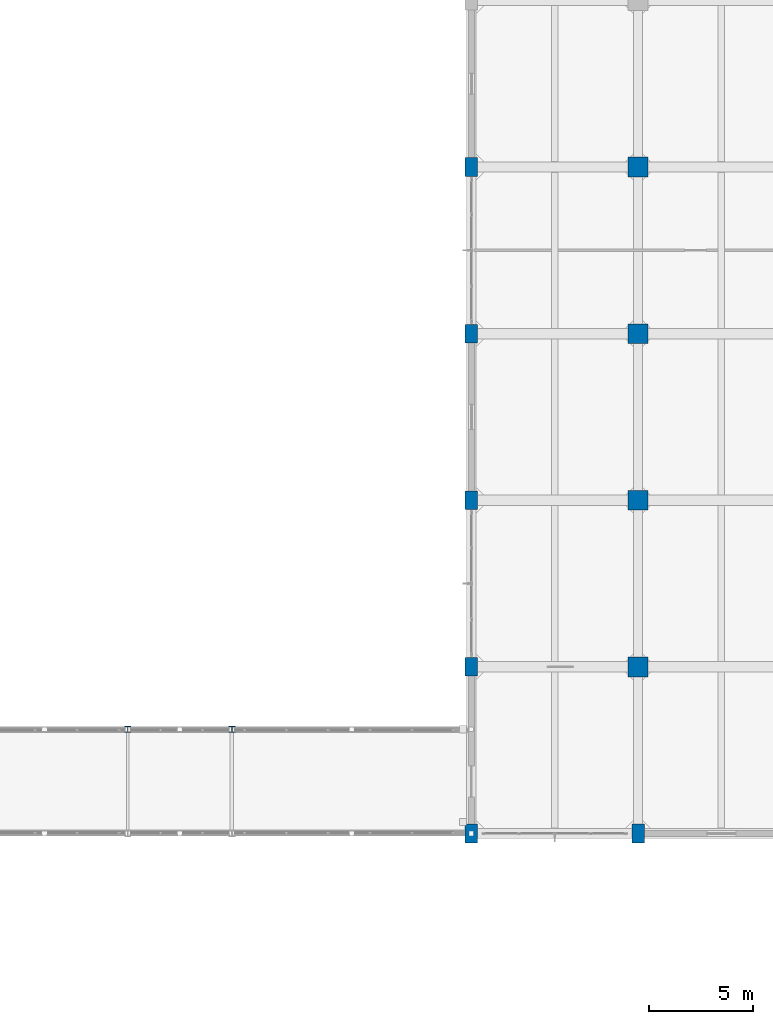
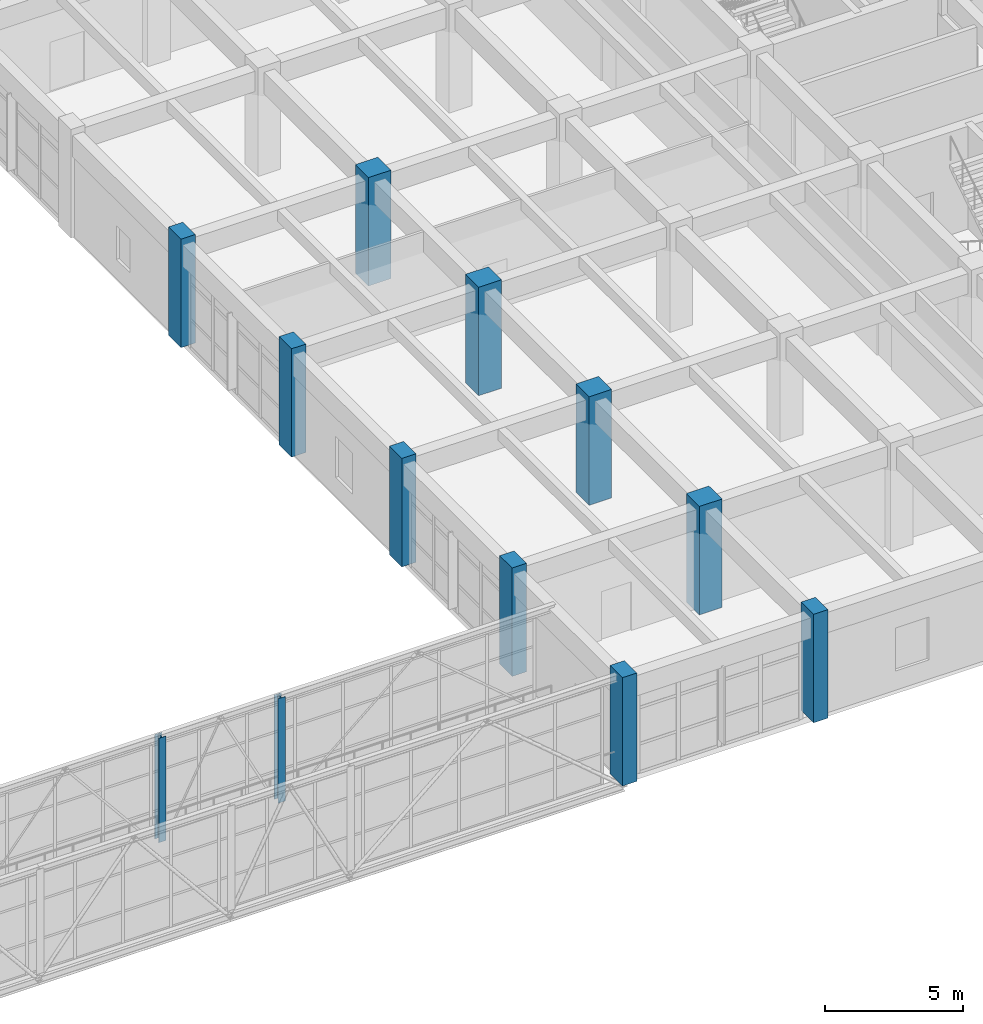
# One storey, part 7 of 248: 12 columns.
"""IFC4 building model written with IfcOpenShell, lengths in metres."""

from ifc_helpers import new_model, si_unit, direction, frame, origin, origin_2d, place, context, subcontext, project, spatial, rectangle, i_section, extrude, material, material_profile, profile_set, type_object, element, save


model = new_model("IFC4")

# Units and contexts
model_context = context("Model", 3, precision=1e-05, world=origin(), true_north=direction((0.0, 1.0)))
body_context = subcontext(model_context, "Body", "Model", "MODEL_VIEW")
ifc_project = project(units=[si_unit("LENGTHUNIT", "METRE"), si_unit("AREAUNIT", "SQUARE_METRE"), si_unit("VOLUMEUNIT", "CUBIC_METRE"), si_unit("PLANEANGLEUNIT", "RADIAN"), si_unit("MASSUNIT", "GRAM", prefix="KILO")], contexts=[model_context])

# Site, building, storey
site_placement = place(None, origin())
site = spatial("IfcSite", under=ifc_project, at=site_placement, CompositionType="ELEMENT")
building_placement = place(site_placement, origin())
building = spatial("IfcBuilding", under=site, at=building_placement, Name="Canggui Botanical Conservatory", CompositionType="ELEMENT")
storey_placement = place(building_placement, frame((0.0, 0.0, 5.39990234375)))
storey = spatial("IfcBuildingStorey", under=building, at=storey_placement, Name="L02", CompositionType="ELEMENT", Elevation=5.39990234375)

# Columns
ifc_material_1 = material(Name="Steel Q355B", Category="steel")
ifc_material_profile_1 = material_profile(ifc_material_1, i_section(OverallWidth=0.300048828125, OverallDepth=0.300048828125, WebThickness=0.010009765625, FlangeThickness=0.014892578125, FilletRadius=0.01806640625, at=origin_2d()), Name="HW 300x300x10x15")
ifc_profile_set_1 = profile_set([ifc_material_profile_1], Name="Steel Q355B")
column_type_1 = type_object("IfcColumnType", Name="COL-GZ05", PredefinedType="COLUMN", material=ifc_profile_set_1)
for number, where, z_axis, x_axis, name in (
    (1, (113.5, 31.0, 0.0), (0.0, 0.0, 1.0), (1.0, 0.0, 0.0), "Skybridge Gallery Steel Column (113.5,31)"),
    (2, (118.5, 31.0, 0.0), (0.0, 0.0, 1.0), (1.0, 0.0, 0.0), "Skybridge Gallery Steel Column (118.5,31)"),
):
    element("IfcColumn", number, at=place(storey_placement, frame(where, z_axis=z_axis, x_axis=x_axis)), inside=storey, type_object=column_type_1, Name=name, PredefinedType="COLUMN", context=body_context, shape_type="SweptSolid", body=[
        extrude(i_section(OverallWidth=0.300048828125, OverallDepth=0.300048828125, WebThickness=0.010009765625, FlangeThickness=0.014892578125, FilletRadius=0.01806640625, at=origin_2d()), origin(), (0.0, 0.0, 1.0), 4.6201171875),
    ])
ifc_material_2 = material(Name="Concrete C50", Category="concrete")
ifc_material_profile_2 = material_profile(ifc_material_2, rectangle(XDim=0.949951171875, YDim=0.949951171875, at=origin_2d()), Name="RC 950x950")
ifc_profile_set_2 = profile_set([ifc_material_profile_2], Name="Concrete C50")
column_type_2 = type_object("IfcColumnType", Name="COL-KZ04", PredefinedType="COLUMN", material=ifc_profile_set_2)
for number, where, z_axis, x_axis, name in (
    (3, (138.0, 34.0, 0.0), (0.0, 0.0, 1.0), (1.0, 0.0, 0.0), "Tower RC Column L02 (138,34)"),
    (4, (138.0, 42.0, 0.0), (0.0, 0.0, 1.0), (1.0, 0.0, 0.0), "Tower RC Column L02 (138,42)"),
    (5, (138.0, 50.0, 0.0), (0.0, 0.0, 1.0), (1.0, 0.0, 0.0), "Tower RC Column L02 (138,50)"),
    (6, (138.0, 58.0, 0.0), (0.0, 0.0, 1.0), (1.0, 0.0, 0.0), "Tower RC Column L02 (138,58)"),
):
    element("IfcColumn", number, at=place(storey_placement, frame(where, z_axis=z_axis, x_axis=x_axis)), inside=storey, type_object=column_type_2, Name=name, PredefinedType="COLUMN", context=body_context, shape_type="SweptSolid", body=[
        extrude(rectangle(XDim=0.949951171875, YDim=0.949951171875, at=origin_2d()), origin(), (0.0, 0.0, 1.0), 4.800048828125),
    ])
ifc_material_profile_3 = material_profile(ifc_material_2, rectangle(XDim=0.60009765625, YDim=0.89990234375, at=origin_2d()), Name="RC 600x900")
ifc_profile_set_3 = profile_set([ifc_material_profile_3], Name="Concrete C50")
column_type_3 = type_object("IfcColumnType", Name="COL-KZ17", PredefinedType="COLUMN", material=ifc_profile_set_3)
for number, where, z_axis, x_axis, name in (
    (7, (130.0, 26.0, 0.0), (0.0, 0.0, 1.0), (1.0, 0.0, 0.0), "Tower RC Column L02 (130,26)"),
    (8, (130.0, 34.0, 0.0), (0.0, 0.0, 1.0), (1.0, 0.0, 0.0), "Tower RC Column L02 (130,34)"),
    (9, (130.0, 42.0, 0.0), (0.0, 0.0, 1.0), (1.0, 0.0, 0.0), "Tower RC Column L02 (130,42)"),
    (10, (130.0, 50.0, 0.0), (0.0, 0.0, 1.0), (1.0, 0.0, 0.0), "Tower RC Column L02 (130,50)"),
    (11, (130.0, 58.0, 0.0), (0.0, 0.0, 1.0), (1.0, 0.0, 0.0), "Tower RC Column L02 (130,58)"),
    (12, (138.0, 26.0, 0.0), (0.0, 0.0, 1.0), (1.0, 0.0, 0.0), "Tower RC Column L02 (138,26)"),
):
    element("IfcColumn", number, at=place(storey_placement, frame(where, z_axis=z_axis, x_axis=x_axis)), inside=storey, type_object=column_type_3, Name=name, PredefinedType="COLUMN", context=body_context, shape_type="SweptSolid", body=[
        extrude(rectangle(XDim=0.60009765625, YDim=0.89990234375, at=origin_2d()), origin(), (0.0, 0.0, 1.0), 4.800048828125),
    ])

save(model, "model.ifc")
